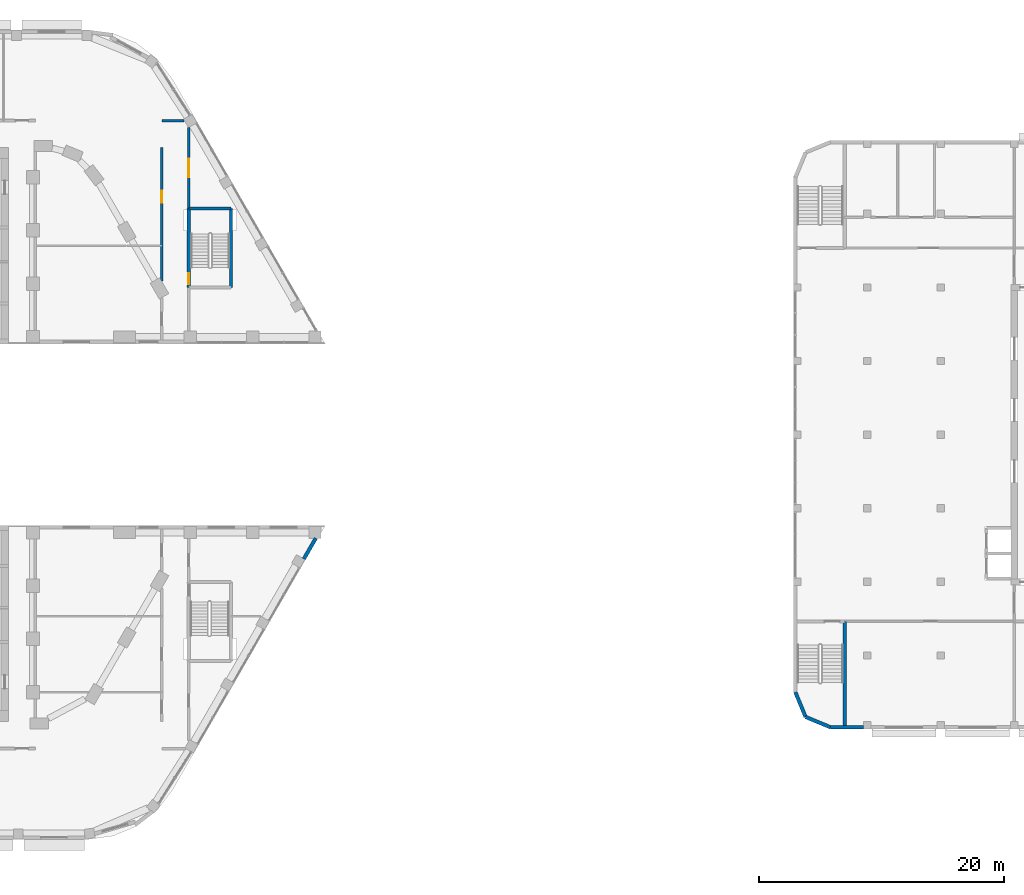
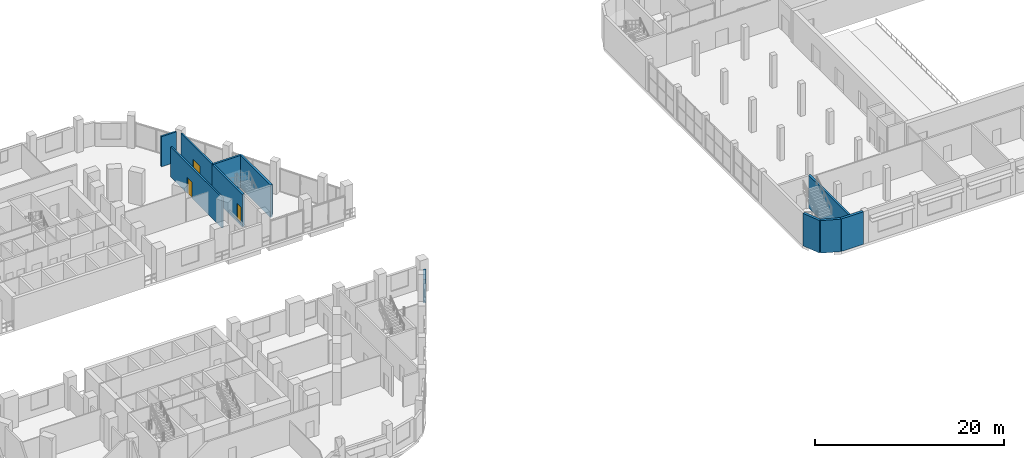
# One storey, part 19 of 45: 11 walls, 3 doors, 3 openings.
"""IFC4 building model written with IfcOpenShell, lengths in metres."""

from ifc_helpers import new_model, si_unit, direction, frame, frame_2d, origin, place, context, subcontext, project, spatial, rectangle, extrude, material, layer, layer_set, type_object, element, fill, save


model = new_model("IFC4")

# Units and contexts
model_context = context("Model", 3, precision=1e-05, world=origin(), true_north=direction((0.0, 1.0)))
body_context = subcontext(model_context, "Body", "Model", "MODEL_VIEW")
ifc_project = project(units=[si_unit("LENGTHUNIT", "METRE"), si_unit("AREAUNIT", "SQUARE_METRE"), si_unit("VOLUMEUNIT", "CUBIC_METRE"), si_unit("PLANEANGLEUNIT", "RADIAN"), si_unit("MASSUNIT", "GRAM", prefix="KILO")], contexts=[model_context])

# Site, building, storey
site_placement = place(None, origin())
site = spatial("IfcSite", under=ifc_project, at=site_placement, CompositionType="ELEMENT")
building_placement = place(site_placement, origin())
building = spatial("IfcBuilding", under=site, at=building_placement, Name="Nakaniwa Court", CompositionType="ELEMENT")
storey_placement = place(building_placement, frame((0.0, 0.0, 11.39990234375)))
storey = spatial("IfcBuildingStorey", under=building, at=storey_placement, Name="L02", CompositionType="ELEMENT", Elevation=11.39990234375)

# Wall, opening, door
ifc_material_1 = material(Name="Acoustic double stud partition")
ifc_layer_1 = layer(ifc_material_1, 0.199951171875)
ifc_layer_set_1 = layer_set([ifc_layer_1], Name="Acoustic double stud partition")
wall_type_1 = type_object("IfcWallType", Name="Acoustic double stud partition 200", PredefinedType="PARTITIONING", material=ifc_layer_set_1)
wall_1_placement = place(storey_placement, frame((102.699951171875, 105.024658203125, 0.0), z_axis=(0.0, 0.0, 1.0), x_axis=(0.0, -1.0, 0.0)))
wall_1 = element("IfcWall", 1, at=wall_1_placement, inside=storey, type_object=wall_type_1, Name="Partition PW-084", PredefinedType="PARTITIONING", context=body_context, shape_type="SweptSolid", body=[
    extrude(rectangle(XDim=6.57763671875, YDim=0.199951171875, at=frame_2d((3.288818359375, 0.0))), origin(), (0.0, 0.0, 1.0), 3.900146484375),
])
opening_1_placement = place(wall_1_placement, frame((2.5390625, 0.0, 0.0)))
opening_1 = element("IfcOpeningElement", 2, at=opening_1_placement, cuts=wall_1, Name="Opening D-12-01", PredefinedType="OPENING", context=body_context, shape_type="SweptSolid", body=[
    extrude(rectangle(XDim=1.5, YDim=2.10009765625, at=frame_2d((0.75, 1.050048828125))), frame((0.0, 0.10986328125, 0.0), z_axis=(0.0, -1.0, 0.0), x_axis=(1.0, 0.0, 0.0)), (0.0, 0.0, 1.0), 0.219970703125),
])
ifc_material_2 = material(Name="Glazed timber double door set", Category="wood")
door_type_1 = type_object("IfcDoorType", Name="Double door 1500", OperationType="NOTDEFINED", PredefinedType="DOOR", material=ifc_material_2)
door_1_placement = place(opening_1_placement, origin())
door_1 = element("IfcDoor", 3, at=door_1_placement, inside=storey, type_object=door_type_1, Name="Door D-12-01 L02-032", OperationType="DOUBLE_DOOR_SINGLE_SWING", OverallHeight=2.10009765625, OverallWidth=1.5, PredefinedType="DOOR", context=body_context, shape_type="SweptSolid", body=[
    extrude(rectangle(XDim=1.5, YDim=2.10009765625, at=frame_2d((0.75, 1.050048828125))), frame((0.0, 0.02490234375, 0.0), z_axis=(0.0, -1.0, 0.0), x_axis=(1.0, 0.0, 0.0)), (0.0, 0.0, 1.0), 0.050048828125),
])
fill(opening_1, door_1)

wall_2_placement = place(storey_placement, frame((100.5, 92.52978515625, 0.0), z_axis=(0.0, 0.0, 1.0), x_axis=(0.0, 1.0, 0.0)))
wall_2 = element("IfcWall", 4, at=wall_2_placement, inside=storey, type_object=wall_type_1, Name="Partition PW-088", PredefinedType="PARTITIONING", context=body_context, shape_type="SweptSolid", body=[
    extrude(rectangle(XDim=10.873291015625, YDim=0.199951171875, at=frame_2d((5.4365234375, 0.0))), origin(), (0.0, 0.0, 1.0), 3.900146484375),
])
opening_2_placement = place(wall_2_placement, frame((6.3701171875, 0.0, 0.0)))
opening_2 = element("IfcOpeningElement", 5, at=opening_2_placement, cuts=wall_2, Name="Opening D-02-03", PredefinedType="OPENING", context=body_context, shape_type="SweptSolid", body=[
    extrude(rectangle(XDim=1.0, YDim=2.10009765625, at=frame_2d((0.5, 1.050048828125))), frame((0.0, 0.10986328125, 0.0), z_axis=(0.0, -1.0, 0.0), x_axis=(1.0, 0.0, 0.0)), (0.0, 0.0, 1.0), 0.219970703125),
])
ifc_material_3 = material(Name="Solid core timber door set, black veneer", Category="wood")
door_type_2 = type_object("IfcDoorType", Name="Internal door 1000", OperationType="NOTDEFINED", PredefinedType="DOOR", material=ifc_material_3)
door_2_placement = place(opening_2_placement, origin())
door_2 = element("IfcDoor", 6, at=door_2_placement, inside=storey, type_object=door_type_2, Name="Door D-02-03 L02-034", OperationType="SINGLE_SWING_LEFT", OverallHeight=2.10009765625, OverallWidth=1.0, PredefinedType="DOOR", context=body_context, shape_type="SweptSolid", body=[
    extrude(rectangle(XDim=1.0, YDim=2.10009765625, at=frame_2d((0.5, 1.050048828125))), frame((0.0, 0.02490234375, 0.0), z_axis=(0.0, -1.0, 0.0), x_axis=(1.0, 0.0, 0.0)), (0.0, 0.0, 1.0), 0.050048828125),
])
fill(opening_2, door_2)

# Walls
wall_3_placement = place(storey_placement, frame((100.5, 105.60009765625, 0.0), z_axis=(0.0, 0.0, 1.0), x_axis=(1.0, 0.0, 0.0)))
element("IfcWall", 7, at=wall_3_placement, inside=storey, type_object=wall_type_1, Name="Partition PW-091", PredefinedType="PARTITIONING", context=body_context, shape_type="SweptSolid", body=[
    extrude(rectangle(XDim=1.823486328125, YDim=0.199951171875, at=frame_2d((0.91162109375, 0.0))), origin(), (0.0, 0.0, 1.0), 3.900146484375),
])
ifc_material_4 = material(Name="Charcoal ceramic cladding")
ifc_layer_2 = layer(ifc_material_4, 0.02, Name="Ceramic cladding")
ifc_material_5 = material(Name="Ventilated air cavity")
ifc_layer_3 = layer(ifc_material_5, 0.04, ventilated=True, Name="Ventilated cavity")
ifc_material_6 = material(Name="Mineral wool insulation")
ifc_layer_4 = layer(ifc_material_6, 0.1, Name="Insulation")
ifc_material_7 = material(Name="Cement bonded sheathing board")
ifc_layer_5 = layer(ifc_material_7, 0.012, Name="Sheathing")
ifc_material_8 = material(Name="Cold-formed galvanised stud frame with mineral wool infill")
ifc_layer_6 = layer(ifc_material_8, 0.1, Name="Stud frame")
ifc_material_9 = material(Name="Fire-rated gypsum plasterboard lining")
ifc_layer_7 = layer(ifc_material_9, 0.028, Name="Lining")
ifc_layer_set_2 = layer_set([ifc_layer_2, ifc_layer_3, ifc_layer_4, ifc_layer_5, ifc_layer_6, ifc_layer_7], Name="Charcoal ceramic faced external wall system")
wall_type_2 = type_object("IfcWallType", Name="Black ceramic faced external wall 300", PredefinedType="SOLIDWALL", material=ifc_layer_set_2)
wall_4_placement = place(storey_placement, frame((112.082275390625, 69.8681640625, 0.0), z_axis=(0.0, 0.0, 1.0), x_axis=(0.500051850797, 0.865995465643, 0.0)))
element("IfcWall", 8, at=wall_4_placement, inside=storey, type_object=wall_type_2, Name="L02 external wall 03", PredefinedType="SOLIDWALL", context=body_context, shape_type="SweptSolid", body=[
    extrude(rectangle(XDim=1.946044921875, YDim=0.300048828125, at=frame_2d((0.97314453125, 0.0))), origin(), (0.0, 0.0, 1.0), 3.0),
])

# Wall, opening, door
ifc_material_10 = material(Name="Concrete C100/115", Category="concrete")
ifc_layer_8 = layer(ifc_material_10, 0.25)
ifc_layer_set_3 = layer_set([ifc_layer_8], Name="Concrete C100/115")
wall_type_3 = type_object("IfcWallType", Name="Concrete core wall 250 C100", PredefinedType="SHEAR", material=ifc_layer_set_3)
wall_5_placement = place(storey_placement, frame((102.699951171875, 91.9970703125, -0.2998046875), z_axis=(0.0, 0.0, 1.0), x_axis=(0.0, 1.0, 0.0)))
wall_5 = element("IfcWall", 9, at=wall_5_placement, inside=storey, type_object=wall_type_3, Name="Core wall SW-80", PredefinedType="SHEAR", context=body_context, shape_type="SweptSolid", body=[
    extrude(rectangle(XDim=6.455810546875, YDim=0.25, at=frame_2d((3.22802734375, 0.0))), origin(), (0.0, 0.0, 1.0), 4.199951171875),
])
opening_3_placement = place(wall_5_placement, frame((0.25, 0.0, 0.300048828125)))
opening_3 = element("IfcOpeningElement", 10, at=opening_3_placement, cuts=wall_5, Name="Opening D-11-03", PredefinedType="OPENING", context=body_context, shape_type="SweptSolid", body=[
    extrude(rectangle(XDim=0.89990234375, YDim=2.10009765625, at=frame_2d((0.449951171875, 1.050048828125))), frame((0.0, 0.135009765625, 0.0), z_axis=(0.0, -1.0, 0.0), x_axis=(1.0, 0.0, 0.0)), (0.0, 0.0, 1.0), 0.27001953125),
])
ifc_material_11 = material(Name="Fire rated steel door set", Category="steel")
door_type_3 = type_object("IfcDoorType", Name="Stair door 900", OperationType="NOTDEFINED", PredefinedType="DOOR", material=ifc_material_11)
door_3_placement = place(opening_3_placement, origin())
door_3 = element("IfcDoor", 11, at=door_3_placement, inside=storey, type_object=door_type_3, Name="Door D-11-03 L02-029", OperationType="SINGLE_SWING_LEFT", OverallHeight=2.10009765625, OverallWidth=0.89990234375, PredefinedType="DOOR", context=body_context, shape_type="SweptSolid", body=[
    extrude(rectangle(XDim=0.89990234375, YDim=2.10009765625, at=frame_2d((0.449951171875, 1.050048828125))), frame((0.0, 0.02490234375, 0.0), z_axis=(0.0, -1.0, 0.0), x_axis=(1.0, 0.0, 0.0)), (0.0, 0.0, 1.0), 0.050048828125),
])
fill(opening_3, door_3)

# Walls
wall_6_placement = place(storey_placement, frame((106.14990234375, 92.0, -0.2998046875), z_axis=(0.0, 0.0, 1.0), x_axis=(0.0, 1.0, 0.0)))
element("IfcWall", 12, at=wall_6_placement, inside=storey, type_object=wall_type_3, Name="Core wall SW-119", PredefinedType="SHEAR", context=body_context, shape_type="SweptSolid", body=[
    extrude(rectangle(XDim=6.449951171875, YDim=0.25, at=frame_2d((3.22509765625, 0.0))), origin(), (0.0, 0.0, 1.0), 4.199951171875),
])
wall_7_placement = place(storey_placement, frame((102.699951171875, 98.449951171875, -0.2998046875), z_axis=(0.0, 0.0, 1.0), x_axis=(1.0, 0.0, 0.0)))
element("IfcWall", 13, at=wall_7_placement, inside=storey, type_object=wall_type_3, Name="Core wall SW-121", PredefinedType="SHEAR", context=body_context, shape_type="SweptSolid", body=[
    extrude(rectangle(XDim=3.449951171875, YDim=0.25, at=frame_2d((1.72509765625, 0.0))), origin(), (0.0, 0.0, 1.0), 4.199951171875),
])
ifc_material_12 = material(Name="Concrete C50/60", Category="concrete")
ifc_layer_9 = layer(ifc_material_12, 0.300048828125)
ifc_layer_set_4 = layer_set([ifc_layer_9], Name="Concrete C50/60")
wall_type_4 = type_object("IfcWallType", Name="Fair faced concrete wall 300", PredefinedType="SOLIDWALL", material=ifc_layer_set_4)
for number, where, z_axis, x_axis, name in (
    (14, (155.0, 56.14990234375, 0.0), (0.0, 0.0, 1.0), (-0.923892706888, 0.382651625058, 0.0), "Facade wall L02 1"),
    (15, (152.984619140625, 56.984619140625, 0.0), (0.0, 0.0, 1.0), (-0.382651625058, 0.923892706888, 0.0), "Facade wall L02 2"),
):
    element("IfcWall", number, at=place(storey_placement, frame(where, z_axis=z_axis, x_axis=x_axis)), inside=storey, type_object=wall_type_4, Name=name, PredefinedType="SOLIDWALL", context=body_context, shape_type="SweptSolid", body=[
        extrude(rectangle(XDim=2.181396484375, YDim=0.300048828125, at=frame_2d((1.0908203125, 0.0))), origin(), (0.0, 0.0, 1.0), 4.2001953125),
    ])
wall_8_placement = place(storey_placement, frame((157.699951171875, 56.14990234375, 0.0), z_axis=(0.0, 0.0, 1.0), x_axis=(-1.0, 0.0, 0.0)))
element("IfcWall", 16, at=wall_8_placement, inside=storey, type_object=wall_type_4, Name="Facade wall L02 42", PredefinedType="SOLIDWALL", context=body_context, shape_type="SweptSolid", body=[
    extrude(rectangle(XDim=2.699951171875, YDim=0.300048828125, at=frame_2d((1.35009765625, 0.0))), origin(), (0.0, 0.0, 1.0), 4.2001953125),
])
ifc_material_13 = material(Name="Concrete C40/50", Category="concrete")
ifc_layer_10 = layer(ifc_material_13, 0.25)
ifc_layer_set_5 = layer_set([ifc_layer_10], Name="Concrete C40/50")
wall_type_5 = type_object("IfcWallType", Name="Fire isolated shaft wall RC 250", PredefinedType="SOLIDWALL", material=ifc_layer_set_5)
wall_9_placement = place(storey_placement, frame((156.175048828125, 64.784912109375, 0.0), z_axis=(0.0, 0.0, 1.0), x_axis=(0.0, -1.0, 0.0)))
element("IfcWall", 17, at=wall_9_placement, inside=storey, type_object=wall_type_5, Name="L02 shaft wall 3", PredefinedType="SOLIDWALL", context=body_context, shape_type="SweptSolid", body=[
    extrude(rectangle(XDim=8.48486328125, YDim=0.25, at=frame_2d((4.242431640625, 0.0))), origin(), (0.0, 0.0, 1.0), 4.2001953125),
])

save(model, "model.ifc")
